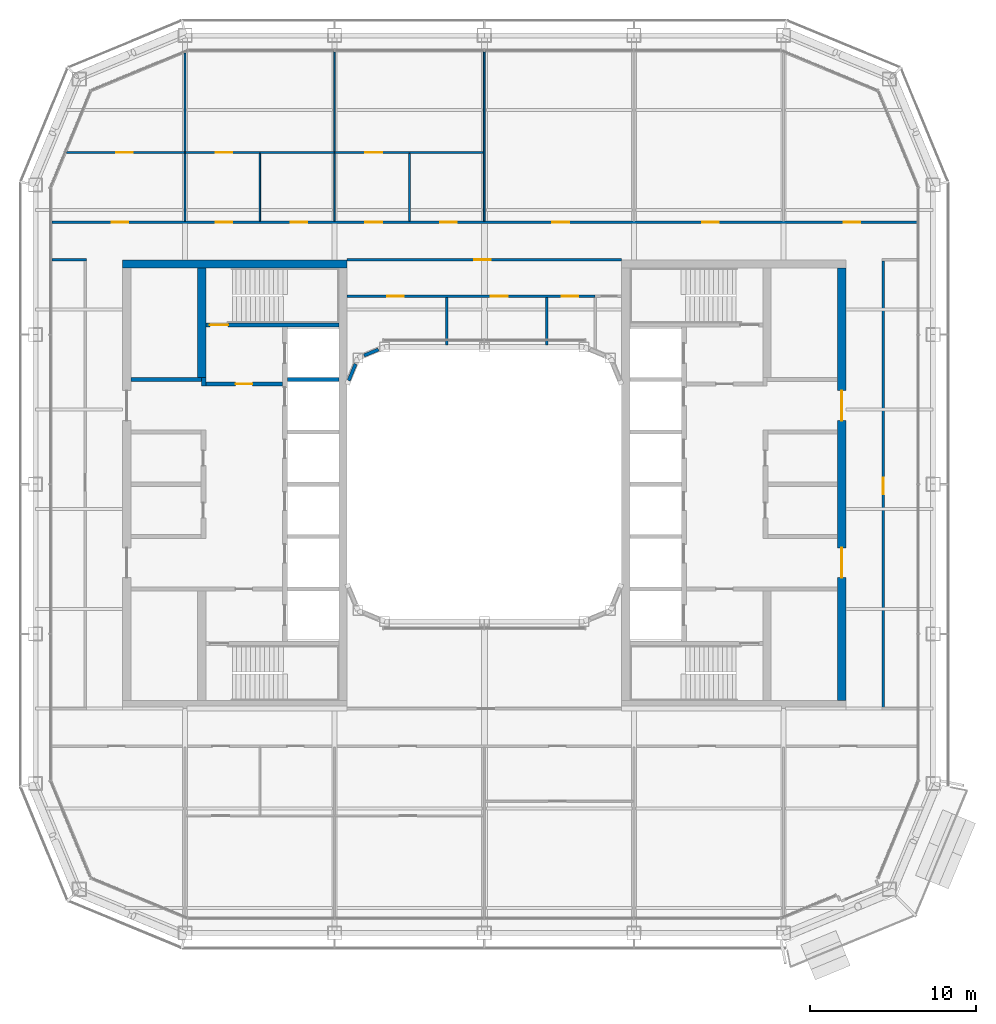
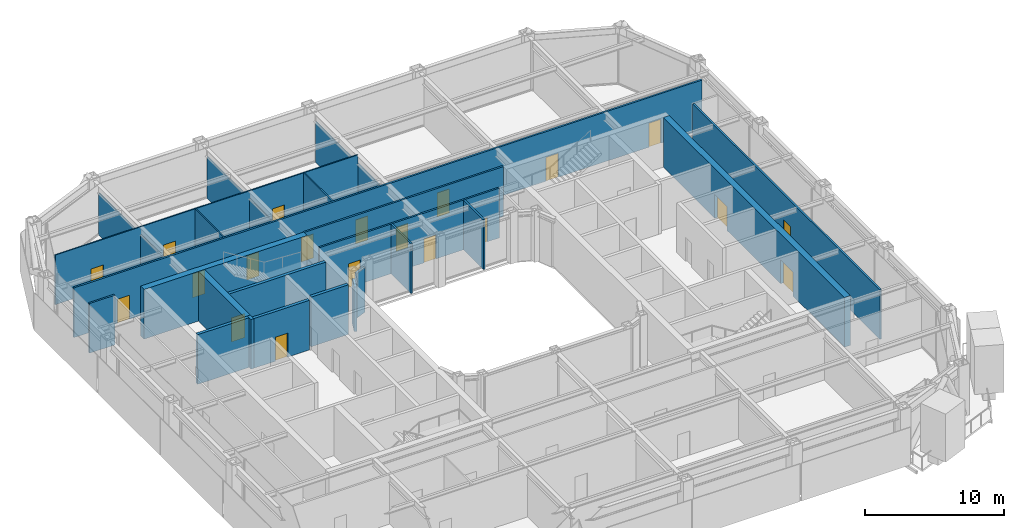
# One storey, part 14 of 22: 25 walls, 20 doors, 20 openings.
"""IFC4 building model written with IfcOpenShell, lengths in metres."""

from ifc_helpers import new_model, si_unit, direction, frame, frame_2d, origin, place, context, subcontext, project, spatial, rectangle, extrude, material, layer, layer_set, type_object, element, fill, save


model = new_model("IFC4")

# Units and contexts
model_context = context("Model", 3, precision=1e-05, world=origin(), true_north=direction((0.0, 1.0)))
body_context = subcontext(model_context, "Body", "Model", "MODEL_VIEW")
ifc_project = project(units=[si_unit("LENGTHUNIT", "METRE"), si_unit("AREAUNIT", "SQUARE_METRE"), si_unit("VOLUMEUNIT", "CUBIC_METRE"), si_unit("PLANEANGLEUNIT", "RADIAN"), si_unit("MASSUNIT", "GRAM", prefix="KILO")], contexts=[model_context])

# Site, building, storey
site_placement = place(None, origin())
site = spatial("IfcSite", under=ifc_project, at=site_placement, CompositionType="ELEMENT")
building_placement = place(site_placement, origin())
building = spatial("IfcBuilding", under=site, at=building_placement, Name="Siwar Civic Tower", CompositionType="ELEMENT")
storey_placement = place(building_placement, frame((0.0, 0.0, 219.699951171875)))
storey = spatial("IfcBuildingStorey", under=building, at=storey_placement, Name="L47", CompositionType="ELEMENT", Elevation=219.699951171875)

# Wall, opening, door
ifc_material_1 = material(Name="Concrete C60/75", Category="concrete")
ifc_layer_1 = layer(ifc_material_1, 0.25)
ifc_layer_set_1 = layer_set([ifc_layer_1], Name="Concrete C60/75")
wall_type_1 = type_object("IfcWallType", Name="CORE-WALL-RC250", PredefinedType="SHEAR", material=ifc_layer_set_1)
wall_1_placement = place(storey_placement, frame((-12.14990234375, 6.02490234375, 0.0), z_axis=(0.0, 0.0, 1.0), x_axis=(-1.0, 0.0, 0.0)))
wall_1 = element("IfcWall", 1, at=wall_1_placement, inside=storey, type_object=wall_type_1, Name="Core wall W", PredefinedType="SHEAR", context=body_context, shape_type="SweptSolid", body=[
    extrude(rectangle(XDim=4.60009765625, YDim=0.25, at=frame_2d((2.300048828125, 0.0))), origin(), (0.0, 0.0, 1.0), 4.35009765625),
])
opening_1_placement = place(wall_1_placement, frame((1.800048828125, 0.0, 0.0)))
opening_1 = element("IfcOpeningElement", 2, at=opening_1_placement, cuts=wall_1, Name="Opening L47-CW01", PredefinedType="OPENING", context=body_context, shape_type="SweptSolid", body=[
    extrude(rectangle(XDim=1.0, YDim=2.10009765625, at=frame_2d((0.5, 1.050048828125))), frame((0.0, 0.135009765625, 0.0), z_axis=(0.0, -1.0, 0.0), x_axis=(1.0, 0.0, 0.0)), (0.0, 0.0, 1.0), 0.27001953125),
])
ifc_material_2 = material(Name="Steel door leaf", Category="steel")
door_type_1 = type_object("IfcDoorType", Name="CORE-DOOR-FD30S", OperationType="SINGLE_SWING_LEFT", PredefinedType="DOOR", material=ifc_material_2)
door_1_placement = place(opening_1_placement, origin())
door_1 = element("IfcDoor", 3, at=door_1_placement, inside=storey, type_object=door_type_1, Name="Firefighting lobby door L47-CW01", OperationType="SINGLE_SWING_LEFT", OverallHeight=2.10009765625, OverallWidth=1.0, PredefinedType="DOOR", context=body_context, shape_type="SweptSolid", body=[
    extrude(rectangle(XDim=1.0, YDim=2.10009765625, at=frame_2d((0.5, 1.050048828125))), frame((0.0, 0.02490234375, 0.0), z_axis=(0.0, -1.0, 0.0), x_axis=(1.0, 0.0, 0.0)), (0.0, 0.0, 1.0), 0.050048828125),
])
fill(opening_1, door_1)

# Walls
wall_2_placement = place(storey_placement, frame((-16.875, 5.89990234375, 0.0), z_axis=(0.0, 0.0, 1.0), x_axis=(0.0, 1.0, 0.0)))
element("IfcWall", 4, at=wall_2_placement, inside=storey, type_object=wall_type_1, Name="Core wall W", PredefinedType="SHEAR", context=body_context, shape_type="SweptSolid", body=[
    extrude(rectangle(XDim=0.525146484375, YDim=0.25, at=frame_2d((0.2626953125, 0.0))), origin(), (0.0, 0.0, 1.0), 4.35009765625),
])
wall_3_placement = place(storey_placement, frame((-17.0, 6.300048828125, 0.0), z_axis=(0.0, 0.0, 1.0), x_axis=(-1.0, 0.0, 0.0)))
element("IfcWall", 5, at=wall_3_placement, inside=storey, type_object=wall_type_1, Name="Core wall W", PredefinedType="SHEAR", context=body_context, shape_type="SweptSolid", body=[
    extrude(rectangle(XDim=4.25, YDim=0.25, at=frame_2d((2.125, 0.0))), origin(), (0.0, 0.0, 1.0), 4.35009765625),
])
wall_4_placement = place(storey_placement, frame((-8.75, 6.300048828125, 0.0), z_axis=(0.0, 0.0, 1.0), x_axis=(-1.0, 0.0, 0.0)))
element("IfcWall", 6, at=wall_4_placement, inside=storey, type_object=wall_type_1, Name="Core wall W", PredefinedType="SHEAR", context=body_context, shape_type="SweptSolid", body=[
    extrude(rectangle(XDim=3.10009765625, YDim=0.25, at=frame_2d((1.550048828125, 0.0))), origin(), (0.0, 0.0, 1.0), 4.35009765625),
])

# Wall, opening, door
wall_5_placement = place(storey_placement, frame((-8.75, 9.574951171875, 0.0), z_axis=(0.0, 0.0, 1.0), x_axis=(-1.0, 0.0, 0.0)))
wall_5 = element("IfcWall", 7, at=wall_5_placement, inside=storey, type_object=wall_type_1, Name="Core wall W", PredefinedType="SHEAR", context=body_context, shape_type="SweptSolid", body=[
    extrude(rectangle(XDim=8.0, YDim=0.25, at=frame_2d((4.0, 0.0))), origin(), (0.0, 0.0, 1.0), 4.35009765625),
])
opening_2_placement = place(wall_5_placement, frame((6.64990234375, 0.0, 0.0)))
opening_2 = element("IfcOpeningElement", 8, at=opening_2_placement, cuts=wall_5, Name="Opening L47-CW03", PredefinedType="OPENING", context=body_context, shape_type="SweptSolid", body=[
    extrude(rectangle(XDim=1.10009765625, YDim=2.10009765625, at=frame_2d((0.550048828125, 1.050048828125))), frame((0.0, 0.135009765625, 0.0), z_axis=(0.0, -1.0, 0.0), x_axis=(1.0, 0.0, 0.0)), (0.0, 0.0, 1.0), 0.27001953125),
])
ifc_material_3 = material(Name="Steel door leaf", Category="steel")
door_type_2 = type_object("IfcDoorType", Name="CORE-DOOR-FD60S", OperationType="SINGLE_SWING_LEFT", PredefinedType="DOOR", material=ifc_material_3)
door_2_placement = place(opening_2_placement, origin())
door_2 = element("IfcDoor", 9, at=door_2_placement, inside=storey, type_object=door_type_2, Name="Stair door L47-CW03", OperationType="SINGLE_SWING_RIGHT", OverallHeight=2.10009765625, OverallWidth=1.10009765625, PredefinedType="DOOR", context=body_context, shape_type="SweptSolid", body=[
    extrude(rectangle(XDim=1.10009765625, YDim=2.10009765625, at=frame_2d((0.550048828125, 1.050048828125))), frame((0.0, 0.02490234375, 0.0), z_axis=(0.0, -1.0, 0.0), x_axis=(1.0, 0.0, 0.0)), (0.0, 0.0, 1.0), 0.050048828125),
])
fill(opening_2, door_2)

# Walls
ifc_material_4 = material(Name="Concrete C60/75", Category="concrete")
ifc_layer_2 = layer(ifc_material_4, 0.5)
ifc_layer_set_2 = layer_set([ifc_layer_2], Name="Concrete C60/75")
wall_type_2 = type_object("IfcWallType", Name="CORE-WALL-RC500", PredefinedType="SHEAR", material=ifc_layer_set_2)
wall_6_placement = place(storey_placement, frame((-17.0, 6.425048828125, 0.0), z_axis=(0.0, 0.0, 1.0), x_axis=(0.0, 1.0, 0.0)))
element("IfcWall", 10, at=wall_6_placement, inside=storey, type_object=wall_type_2, Name="Core wall W", PredefinedType="SHEAR", context=body_context, shape_type="SweptSolid", body=[
    extrude(rectangle(XDim=6.574951171875, YDim=0.5, at=frame_2d((3.28759765625, 0.0))), origin(), (0.0, 0.0, 1.0), 4.35009765625),
])
wall_7_placement = place(storey_placement, frame((-8.25, 13.25, 0.0), z_axis=(0.0, 0.0, 1.0), x_axis=(-1.0, 0.0, 0.0)))
element("IfcWall", 11, at=wall_7_placement, inside=storey, type_object=wall_type_2, Name="Core wall W", PredefinedType="SHEAR", context=body_context, shape_type="SweptSolid", body=[
    extrude(rectangle(XDim=13.5, YDim=0.5, at=frame_2d((6.75, 0.0))), origin(), (0.0, 0.0, 1.0), 4.35009765625),
])

# Wall, openings, doors
wall_8_placement = place(storey_placement, frame((21.5, -13.0, 0.0), z_axis=(0.0, 0.0, 1.0), x_axis=(0.0, 1.0, 0.0)))
wall_8 = element("IfcWall", 12, at=wall_8_placement, inside=storey, type_object=wall_type_2, Name="Core wall E", PredefinedType="SHEAR", context=body_context, shape_type="SweptSolid", body=[
    extrude(rectangle(XDim=26.0, YDim=0.5, at=frame_2d((13.0, 0.0))), origin(), (0.0, 0.0, 1.0), 4.35009765625),
])
opening_3_placement = place(wall_8_placement, frame((16.824951171875, 0.0, 0.0)))
opening_3 = element("IfcOpeningElement", 13, at=opening_3_placement, cuts=wall_8, Name="Opening L47-CE05", PredefinedType="OPENING", context=body_context, shape_type="SweptSolid", body=[
    extrude(rectangle(XDim=1.800048828125, YDim=2.10009765625, at=frame_2d((0.89990234375, 1.050048828125))), frame((0.0, 0.260009765625, 0.0), z_axis=(0.0, -1.0, 0.0), x_axis=(1.0, 0.0, 0.0)), (0.0, 0.0, 1.0), 0.52001953125),
])
opening_4_placement = place(wall_8_placement, frame((7.375, 0.0, 0.0)))
opening_4 = element("IfcOpeningElement", 14, at=opening_4_placement, cuts=wall_8, Name="Opening L47-CE06", PredefinedType="OPENING", context=body_context, shape_type="SweptSolid", body=[
    extrude(rectangle(XDim=1.800048828125, YDim=2.10009765625, at=frame_2d((0.89990234375, 1.050048828125))), frame((0.0, 0.260009765625, 0.0), z_axis=(0.0, -1.0, 0.0), x_axis=(1.0, 0.0, 0.0)), (0.0, 0.0, 1.0), 0.52001953125),
])
ifc_material_5 = material(Name="Steel door leaf", Category="steel")
door_type_3 = type_object("IfcDoorType", Name="CORE-DOOR-PORT", OperationType="DOUBLE_DOOR_DOUBLE_SWING", PredefinedType="DOOR", material=ifc_material_5)
door_3_placement = place(opening_3_placement, origin())
door_3 = element("IfcDoor", 15, at=door_3_placement, inside=storey, type_object=door_type_3, Name="Core entrance door L47-CE05", OperationType="DOUBLE_DOOR_DOUBLE_SWING", OverallHeight=2.10009765625, OverallWidth=1.800048828125, PredefinedType="DOOR", context=body_context, shape_type="SweptSolid", body=[
    extrude(rectangle(XDim=1.800048828125, YDim=2.10009765625, at=frame_2d((0.89990234375, 1.050048828125))), frame((0.0, 0.02490234375, 0.0), z_axis=(0.0, -1.0, 0.0), x_axis=(1.0, 0.0, 0.0)), (0.0, 0.0, 1.0), 0.050048828125),
])
fill(opening_3, door_3)
door_4_placement = place(opening_4_placement, origin())
door_4 = element("IfcDoor", 16, at=door_4_placement, inside=storey, type_object=door_type_3, Name="Core entrance door L47-CE06", OperationType="DOUBLE_DOOR_DOUBLE_SWING", OverallHeight=2.10009765625, OverallWidth=1.800048828125, PredefinedType="DOOR", context=body_context, shape_type="SweptSolid", body=[
    extrude(rectangle(XDim=1.800048828125, YDim=2.10009765625, at=frame_2d((0.89990234375, 1.050048828125))), frame((0.0, 0.02490234375, 0.0), z_axis=(0.0, -1.0, 0.0), x_axis=(1.0, 0.0, 0.0)), (0.0, 0.0, 1.0), 0.050048828125),
])
fill(opening_4, door_4)

ifc_material_6 = material(Name="Gypsum board on steel studs", Category="steel")
ifc_layer_3 = layer(ifc_material_6, 0.14990234375)
ifc_layer_set_3 = layer_set([ifc_layer_3], Name="Gypsum board on steel studs")
wall_type_3 = type_object("IfcWallType", Name="CORRIDOR PARTITION 150 EI 30", PredefinedType="PARTITIONING", material=ifc_layer_set_3)
wall_9_placement = place(storey_placement, frame((-8.25, 11.300048828125, 0.0), z_axis=(0.0, 0.0, 1.0), x_axis=(1.0, 0.0, 0.0)))
wall_9 = element("IfcWall", 17, at=wall_9_placement, inside=storey, type_object=wall_type_3, Name="L47/wall/P07", PredefinedType="PARTITIONING", context=body_context, shape_type="SweptSolid", body=[
    extrude(rectangle(XDim=14.909912109375, YDim=0.14990234375, at=frame_2d((7.455078125, 0.0))), origin(), (0.0, 0.0, 1.0), 4.35009765625),
])
opening_5_placement = place(wall_9_placement, frame((2.39990234375, 0.0, 0.0)))
opening_5 = element("IfcOpeningElement", 18, at=opening_5_placement, cuts=wall_9, Name="Opening D3", PredefinedType="OPENING", context=body_context, shape_type="SweptSolid", body=[
    extrude(rectangle(XDim=1.0, YDim=2.10009765625, at=frame_2d((0.5, 1.050048828125))), frame((0.0, 0.0849609375, 0.0), z_axis=(0.0, -1.0, 0.0), x_axis=(1.0, 0.0, 0.0)), (0.0, 0.0, 1.0), 0.169921875),
])
opening_6_placement = place(wall_9_placement, frame((8.64990234375, 0.0, 0.0)))
opening_6 = element("IfcOpeningElement", 19, at=opening_6_placement, cuts=wall_9, Name="Opening D3", PredefinedType="OPENING", context=body_context, shape_type="SweptSolid", body=[
    extrude(rectangle(XDim=1.0, YDim=2.10009765625, at=frame_2d((0.5, 1.050048828125))), frame((0.0, 0.0849609375, 0.0), z_axis=(0.0, -1.0, 0.0), x_axis=(1.0, 0.0, 0.0)), (0.0, 0.0, 1.0), 0.169921875),
])
opening_7_placement = place(wall_9_placement, frame((12.89990234375, 0.0, 0.0)))
opening_7 = element("IfcOpeningElement", 20, at=opening_7_placement, cuts=wall_9, Name="Opening D3", PredefinedType="OPENING", context=body_context, shape_type="SweptSolid", body=[
    extrude(rectangle(XDim=1.0, YDim=2.10009765625, at=frame_2d((0.5, 1.050048828125))), frame((0.0, 0.0849609375, 0.0), z_axis=(0.0, -1.0, 0.0), x_axis=(1.0, 0.0, 0.0)), (0.0, 0.0, 1.0), 0.169921875),
])
ifc_material_7 = material(Name="Timber, painted", Category="wood")
door_type_4 = type_object("IfcDoorType", Name="DOOR 1000 X 2100 WC", OperationType="SINGLE_SWING_LEFT", PredefinedType="DOOR", material=ifc_material_7)
door_5_placement = place(opening_5_placement, origin())
door_5 = element("IfcDoor", 21, at=door_5_placement, inside=storey, type_object=door_type_4, Name="L47-D25", OperationType="SINGLE_SWING_LEFT", OverallHeight=2.10009765625, OverallWidth=1.0, PredefinedType="DOOR", context=body_context, shape_type="SweptSolid", body=[
    extrude(rectangle(XDim=1.0, YDim=2.10009765625, at=frame_2d((0.5, 1.050048828125))), frame((0.0, 0.02490234375, 0.0), z_axis=(0.0, -1.0, 0.0), x_axis=(1.0, 0.0, 0.0)), (0.0, 0.0, 1.0), 0.050048828125),
])
fill(opening_5, door_5)
door_6_placement = place(opening_6_placement, origin())
door_6 = element("IfcDoor", 22, at=door_6_placement, inside=storey, type_object=door_type_4, Name="L47-D26", OperationType="SINGLE_SWING_RIGHT", OverallHeight=2.10009765625, OverallWidth=1.0, PredefinedType="DOOR", context=body_context, shape_type="SweptSolid", body=[
    extrude(rectangle(XDim=1.0, YDim=2.10009765625, at=frame_2d((0.5, 1.050048828125))), frame((0.0, 0.02490234375, 0.0), z_axis=(0.0, -1.0, 0.0), x_axis=(1.0, 0.0, 0.0)), (0.0, 0.0, 1.0), 0.050048828125),
])
fill(opening_6, door_6)
door_7_placement = place(opening_7_placement, origin())
door_7 = element("IfcDoor", 23, at=door_7_placement, inside=storey, type_object=door_type_4, Name="L47-D27", OperationType="SINGLE_SWING_LEFT", OverallHeight=2.10009765625, OverallWidth=1.0, PredefinedType="DOOR", context=body_context, shape_type="SweptSolid", body=[
    extrude(rectangle(XDim=1.0, YDim=2.10009765625, at=frame_2d((0.5, 1.050048828125))), frame((0.0, 0.02490234375, 0.0), z_axis=(0.0, -1.0, 0.0), x_axis=(1.0, 0.0, 0.0)), (0.0, 0.0, 1.0), 0.050048828125),
])
fill(opening_7, door_7)

# Wall
wall_10_placement = place(storey_placement, frame((-26.010009765625, 13.5, 0.0), z_axis=(0.0, 0.0, 1.0), x_axis=(1.0, 0.0, 0.0)))
element("IfcWall", 24, at=wall_10_placement, inside=storey, type_object=wall_type_3, Name="L47/wall/P09", PredefinedType="PARTITIONING", context=body_context, shape_type="SweptSolid", body=[
    extrude(rectangle(XDim=2.0849609375, YDim=0.14990234375, at=frame_2d((1.04248046875, 0.0))), origin(), (0.0, 0.0, 1.0), 4.35009765625),
])

# Wall, opening, door
wall_11_placement = place(storey_placement, frame((-8.25, 13.5, 0.0), z_axis=(0.0, 0.0, 1.0), x_axis=(1.0, 0.0, 0.0)))
wall_11 = element("IfcWall", 25, at=wall_11_placement, inside=storey, type_object=wall_type_3, Name="L47/wall/P10", PredefinedType="PARTITIONING", context=body_context, shape_type="SweptSolid", body=[
    extrude(rectangle(XDim=16.5, YDim=0.14990234375, at=frame_2d((8.25, 0.0))), origin(), (0.0, 0.0, 1.0), 4.35009765625),
])
opening_8_placement = place(wall_11_placement, frame((7.64990234375, 0.0, 0.0)))
opening_8 = element("IfcOpeningElement", 26, at=opening_8_placement, cuts=wall_11, Name="Opening D1", PredefinedType="OPENING", context=body_context, shape_type="SweptSolid", body=[
    extrude(rectangle(XDim=1.0, YDim=2.10009765625, at=frame_2d((0.5, 1.050048828125))), frame((0.0, 0.0849609375, 0.0), z_axis=(0.0, -1.0, 0.0), x_axis=(1.0, 0.0, 0.0)), (0.0, 0.0, 1.0), 0.169921875),
])
ifc_material_8 = material(Name="Timber, painted", Category="wood")
door_type_5 = type_object("IfcDoorType", Name="DOOR 1000 X 2100 FD30", OperationType="SINGLE_SWING_LEFT", PredefinedType="DOOR", material=ifc_material_8)
door_8_placement = place(opening_8_placement, origin())
door_8 = element("IfcDoor", 27, at=door_8_placement, inside=storey, type_object=door_type_5, Name="L47-D24", OperationType="SINGLE_SWING_RIGHT", OverallHeight=2.10009765625, OverallWidth=1.0, PredefinedType="DOOR", context=body_context, shape_type="SweptSolid", body=[
    extrude(rectangle(XDim=1.0, YDim=2.10009765625, at=frame_2d((0.5, 1.050048828125))), frame((0.0, 0.02490234375, 0.0), z_axis=(0.0, -1.0, 0.0), x_axis=(1.0, 0.0, 0.0)), (0.0, 0.0, 1.0), 0.050048828125),
])
fill(opening_8, door_8)

# Wall, openings, doors
wall_12_placement = place(storey_placement, frame((-26.010009765625, 15.75, 0.0), z_axis=(0.0, 0.0, 1.0), x_axis=(1.0, 0.0, 0.0)))
wall_12 = element("IfcWall", 28, at=wall_12_placement, inside=storey, type_object=wall_type_3, Name="L47/wall/P12", PredefinedType="PARTITIONING", context=body_context, shape_type="SweptSolid", body=[
    extrude(rectangle(XDim=52.02001953125, YDim=0.14990234375, at=frame_2d((26.010009765625, 0.0))), origin(), (0.0, 0.0, 1.0), 4.35009765625),
])
opening_9_placement = place(wall_12_placement, frame((9.860107421875, 0.0, 0.0)))
opening_9 = element("IfcOpeningElement", 29, at=opening_9_placement, cuts=wall_12, Name="Opening D1", PredefinedType="OPENING", context=body_context, shape_type="SweptSolid", body=[
    extrude(rectangle(XDim=1.0, YDim=2.10009765625, at=frame_2d((0.5, 1.050048828125))), frame((0.0, 0.0849609375, 0.0), z_axis=(0.0, -1.0, 0.0), x_axis=(1.0, 0.0, 0.0)), (0.0, 0.0, 1.0), 0.169921875),
])
opening_10_placement = place(wall_12_placement, frame((14.360107421875, 0.0, 0.0)))
opening_10 = element("IfcOpeningElement", 30, at=opening_10_placement, cuts=wall_12, Name="Opening D1", PredefinedType="OPENING", context=body_context, shape_type="SweptSolid", body=[
    extrude(rectangle(XDim=1.0, YDim=2.10009765625, at=frame_2d((0.5, 1.050048828125))), frame((0.0, 0.0849609375, 0.0), z_axis=(0.0, -1.0, 0.0), x_axis=(1.0, 0.0, 0.0)), (0.0, 0.0, 1.0), 0.169921875),
])
opening_11_placement = place(wall_12_placement, frame((18.860107421875, 0.0, 0.0)))
opening_11 = element("IfcOpeningElement", 31, at=opening_11_placement, cuts=wall_12, Name="Opening D1", PredefinedType="OPENING", context=body_context, shape_type="SweptSolid", body=[
    extrude(rectangle(XDim=1.0, YDim=2.10009765625, at=frame_2d((0.5, 1.050048828125))), frame((0.0, 0.0849609375, 0.0), z_axis=(0.0, -1.0, 0.0), x_axis=(1.0, 0.0, 0.0)), (0.0, 0.0, 1.0), 0.169921875),
])
opening_12_placement = place(wall_12_placement, frame((23.360107421875, 0.0, 0.0)))
opening_12 = element("IfcOpeningElement", 32, at=opening_12_placement, cuts=wall_12, Name="Opening D1", PredefinedType="OPENING", context=body_context, shape_type="SweptSolid", body=[
    extrude(rectangle(XDim=1.0, YDim=2.10009765625, at=frame_2d((0.5, 1.050048828125))), frame((0.0, 0.0849609375, 0.0), z_axis=(0.0, -1.0, 0.0), x_axis=(1.0, 0.0, 0.0)), (0.0, 0.0, 1.0), 0.169921875),
])
opening_13_placement = place(wall_12_placement, frame((30.110107421875, 0.0, 0.0)))
opening_13 = element("IfcOpeningElement", 33, at=opening_13_placement, cuts=wall_12, Name="Opening D1", PredefinedType="OPENING", context=body_context, shape_type="SweptSolid", body=[
    extrude(rectangle(XDim=1.0, YDim=2.10009765625, at=frame_2d((0.5, 1.050048828125))), frame((0.0, 0.0849609375, 0.0), z_axis=(0.0, -1.0, 0.0), x_axis=(1.0, 0.0, 0.0)), (0.0, 0.0, 1.0), 0.169921875),
])
opening_14_placement = place(wall_12_placement, frame((39.110107421875, 0.0, 0.0)))
opening_14 = element("IfcOpeningElement", 34, at=opening_14_placement, cuts=wall_12, Name="Opening D1", PredefinedType="OPENING", context=body_context, shape_type="SweptSolid", body=[
    extrude(rectangle(XDim=1.0, YDim=2.10009765625, at=frame_2d((0.5, 1.050048828125))), frame((0.0, 0.0849609375, 0.0), z_axis=(0.0, -1.0, 0.0), x_axis=(1.0, 0.0, 0.0)), (0.0, 0.0, 1.0), 0.169921875),
])
opening_15_placement = place(wall_12_placement, frame((3.610107421875, 0.0, 0.0)))
opening_15 = element("IfcOpeningElement", 35, at=opening_15_placement, cuts=wall_12, Name="Opening D1", PredefinedType="OPENING", context=body_context, shape_type="SweptSolid", body=[
    extrude(rectangle(XDim=1.0, YDim=2.10009765625, at=frame_2d((0.5, 1.050048828125))), frame((0.0, 0.0849609375, 0.0), z_axis=(0.0, -1.0, 0.0), x_axis=(1.0, 0.0, 0.0)), (0.0, 0.0, 1.0), 0.169921875),
])
opening_16_placement = place(wall_12_placement, frame((47.6201171875, 0.0, 0.0)))
opening_16 = element("IfcOpeningElement", 36, at=opening_16_placement, cuts=wall_12, Name="Opening D1", PredefinedType="OPENING", context=body_context, shape_type="SweptSolid", body=[
    extrude(rectangle(XDim=1.0, YDim=2.10009765625, at=frame_2d((0.5, 1.050048828125))), frame((0.0, 0.0849609375, 0.0), z_axis=(0.0, -1.0, 0.0), x_axis=(1.0, 0.0, 0.0)), (0.0, 0.0, 1.0), 0.169921875),
])
door_9_placement = place(opening_9_placement, origin())
door_9 = element("IfcDoor", 37, at=door_9_placement, inside=storey, type_object=door_type_5, Name="L47-D01", OperationType="SINGLE_SWING_LEFT", OverallHeight=2.10009765625, OverallWidth=1.0, PredefinedType="DOOR", context=body_context, shape_type="SweptSolid", body=[
    extrude(rectangle(XDim=1.0, YDim=2.10009765625, at=frame_2d((0.5, 1.050048828125))), frame((0.0, 0.02490234375, 0.0), z_axis=(0.0, -1.0, 0.0), x_axis=(1.0, 0.0, 0.0)), (0.0, 0.0, 1.0), 0.050048828125),
])
fill(opening_9, door_9)
door_10_placement = place(opening_10_placement, origin())
door_10 = element("IfcDoor", 38, at=door_10_placement, inside=storey, type_object=door_type_5, Name="L47-D02", OperationType="SINGLE_SWING_RIGHT", OverallHeight=2.10009765625, OverallWidth=1.0, PredefinedType="DOOR", context=body_context, shape_type="SweptSolid", body=[
    extrude(rectangle(XDim=1.0, YDim=2.10009765625, at=frame_2d((0.5, 1.050048828125))), frame((0.0, 0.02490234375, 0.0), z_axis=(0.0, -1.0, 0.0), x_axis=(1.0, 0.0, 0.0)), (0.0, 0.0, 1.0), 0.050048828125),
])
fill(opening_10, door_10)
door_11_placement = place(opening_11_placement, origin())
door_11 = element("IfcDoor", 39, at=door_11_placement, inside=storey, type_object=door_type_5, Name="L47-D04", OperationType="SINGLE_SWING_RIGHT", OverallHeight=2.10009765625, OverallWidth=1.0, PredefinedType="DOOR", context=body_context, shape_type="SweptSolid", body=[
    extrude(rectangle(XDim=1.0, YDim=2.10009765625, at=frame_2d((0.5, 1.050048828125))), frame((0.0, 0.02490234375, 0.0), z_axis=(0.0, -1.0, 0.0), x_axis=(1.0, 0.0, 0.0)), (0.0, 0.0, 1.0), 0.050048828125),
])
fill(opening_11, door_11)
door_12_placement = place(opening_12_placement, origin())
door_12 = element("IfcDoor", 40, at=door_12_placement, inside=storey, type_object=door_type_5, Name="L47-D05", OperationType="SINGLE_SWING_LEFT", OverallHeight=2.10009765625, OverallWidth=1.0, PredefinedType="DOOR", context=body_context, shape_type="SweptSolid", body=[
    extrude(rectangle(XDim=1.0, YDim=2.10009765625, at=frame_2d((0.5, 1.050048828125))), frame((0.0, 0.02490234375, 0.0), z_axis=(0.0, -1.0, 0.0), x_axis=(1.0, 0.0, 0.0)), (0.0, 0.0, 1.0), 0.050048828125),
])
fill(opening_12, door_12)
door_13_placement = place(opening_13_placement, origin())
door_13 = element("IfcDoor", 41, at=door_13_placement, inside=storey, type_object=door_type_5, Name="L47-D07", OperationType="SINGLE_SWING_LEFT", OverallHeight=2.10009765625, OverallWidth=1.0, PredefinedType="DOOR", context=body_context, shape_type="SweptSolid", body=[
    extrude(rectangle(XDim=1.0, YDim=2.10009765625, at=frame_2d((0.5, 1.050048828125))), frame((0.0, 0.02490234375, 0.0), z_axis=(0.0, -1.0, 0.0), x_axis=(1.0, 0.0, 0.0)), (0.0, 0.0, 1.0), 0.050048828125),
])
fill(opening_13, door_13)
door_14_placement = place(opening_14_placement, origin())
door_14 = element("IfcDoor", 42, at=door_14_placement, inside=storey, type_object=door_type_5, Name="L47-D08", OperationType="SINGLE_SWING_RIGHT", OverallHeight=2.10009765625, OverallWidth=1.0, PredefinedType="DOOR", context=body_context, shape_type="SweptSolid", body=[
    extrude(rectangle(XDim=1.0, YDim=2.10009765625, at=frame_2d((0.5, 1.050048828125))), frame((0.0, 0.02490234375, 0.0), z_axis=(0.0, -1.0, 0.0), x_axis=(1.0, 0.0, 0.0)), (0.0, 0.0, 1.0), 0.050048828125),
])
fill(opening_14, door_14)
door_15_placement = place(opening_15_placement, origin())
door_15 = element("IfcDoor", 43, at=door_15_placement, inside=storey, type_object=door_type_5, Name="L47-D17", OperationType="SINGLE_SWING_LEFT", OverallHeight=2.10009765625, OverallWidth=1.0, PredefinedType="DOOR", context=body_context, shape_type="SweptSolid", body=[
    extrude(rectangle(XDim=1.0, YDim=2.10009765625, at=frame_2d((0.5, 1.050048828125))), frame((0.0, 0.02490234375, 0.0), z_axis=(0.0, -1.0, 0.0), x_axis=(1.0, 0.0, 0.0)), (0.0, 0.0, 1.0), 0.050048828125),
])
fill(opening_15, door_15)
door_16_placement = place(opening_16_placement, origin())
door_16 = element("IfcDoor", 44, at=door_16_placement, inside=storey, type_object=door_type_5, Name="L47-D19", OperationType="SINGLE_SWING_LEFT", OverallHeight=2.10009765625, OverallWidth=1.0, PredefinedType="DOOR", context=body_context, shape_type="SweptSolid", body=[
    extrude(rectangle(XDim=1.0, YDim=2.10009765625, at=frame_2d((0.5, 1.050048828125))), frame((0.0, 0.02490234375, 0.0), z_axis=(0.0, -1.0, 0.0), x_axis=(1.0, 0.0, 0.0)), (0.0, 0.0, 1.0), 0.050048828125),
])
fill(opening_16, door_16)

# Walls
for number, where, z_axis, x_axis, name in (
    (45, (-2.25, 8.3701171875, 0.0), (0.0, 0.0, 1.0), (0.0, 1.0, 0.0), "L47/wall/P25"),
    (46, (3.75, 8.3701171875, 0.0), (0.0, 0.0, 1.0), (0.0, 1.0, 0.0), "L47/wall/P28"),
):
    element("IfcWall", number, at=place(storey_placement, frame(where, z_axis=z_axis, x_axis=x_axis)), inside=storey, type_object=wall_type_3, Name=name, PredefinedType="PARTITIONING", context=body_context, shape_type="SweptSolid", body=[
        extrude(rectangle(XDim=2.85498046875, YDim=0.14990234375, at=frame_2d((1.427490234375, 0.0))), origin(), (0.0, 0.0, 1.0), 4.35009765625),
    ])

# Wall, opening, door
wall_13_placement = place(storey_placement, frame((24.0, -13.425048828125, 0.0), z_axis=(0.0, 0.0, 1.0), x_axis=(0.0, 1.0, 0.0)))
wall_13 = element("IfcWall", 47, at=wall_13_placement, inside=storey, type_object=wall_type_3, Name="L47/wall/P34", PredefinedType="PARTITIONING", context=body_context, shape_type="SweptSolid", body=[
    extrude(rectangle(XDim=26.85009765625, YDim=0.14990234375, at=frame_2d((13.425048828125, 0.0))), origin(), (0.0, 0.0, 1.0), 4.35009765625),
])
opening_17_placement = place(wall_13_placement, frame((12.824951171875, 0.0, 0.0)))
opening_17 = element("IfcOpeningElement", 48, at=opening_17_placement, cuts=wall_13, Name="Opening D1", PredefinedType="OPENING", context=body_context, shape_type="SweptSolid", body=[
    extrude(rectangle(XDim=1.0, YDim=2.10009765625, at=frame_2d((0.5, 1.050048828125))), frame((0.0, 0.0849609375, 0.0), z_axis=(0.0, -1.0, 0.0), x_axis=(1.0, 0.0, 0.0)), (0.0, 0.0, 1.0), 0.169921875),
])
door_17_placement = place(opening_17_placement, origin())
door_17 = element("IfcDoor", 49, at=door_17_placement, inside=storey, type_object=door_type_5, Name="L47-D23", OperationType="SINGLE_SWING_LEFT", OverallHeight=2.10009765625, OverallWidth=1.0, PredefinedType="DOOR", context=body_context, shape_type="SweptSolid", body=[
    extrude(rectangle(XDim=1.0, YDim=2.10009765625, at=frame_2d((0.5, 1.050048828125))), frame((0.0, 0.02490234375, 0.0), z_axis=(0.0, -1.0, 0.0), x_axis=(1.0, 0.0, 0.0)), (0.0, 0.0, 1.0), 0.050048828125),
])
fill(opening_17, door_17)

# Walls
ifc_material_9 = material(Name="Aluminium clad insulated panel", Category="aluminium")
ifc_layer_4 = layer(ifc_material_9, 0.199951171875)
ifc_layer_set_4 = layer_set([ifc_layer_4], Name="Aluminium clad insulated panel")
wall_type_4 = type_object("IfcWallType", Name="ENV-WALL-WELL", PredefinedType="STANDARD", material=ifc_layer_set_4)
wall_14_placement = place(storey_placement, frame((-6.362060546875, 8.10009765625, 0.0), z_axis=(0.0, 0.0, 1.0), x_axis=(-0.923829670615, -0.382803787458, 0.0)))
element("IfcWall", 50, at=wall_14_placement, inside=storey, type_object=wall_type_4, Name="Light well corner wall NW1", PredefinedType="STANDARD", context=body_context, shape_type="SweptSolid", body=[
    extrude(rectangle(XDim=0.938232421875, YDim=0.199951171875, at=frame_2d((0.46923828125, 0.0))), origin(), (0.0, 0.0, 1.0), 3.91796875),
])
wall_15_placement = place(storey_placement, frame((-7.740966796875, 7.228759765625, 0.0), z_axis=(0.0, 0.0, 1.0), x_axis=(-0.382704496366, -0.923870807235, 0.0)))
element("IfcWall", 51, at=wall_15_placement, inside=storey, type_object=wall_type_4, Name="Light well corner wall NW2", PredefinedType="STANDARD", context=body_context, shape_type="SweptSolid", body=[
    extrude(rectangle(XDim=1.080078125, YDim=0.199951171875, at=frame_2d((0.5400390625, 0.0))), origin(), (0.0, 0.0, 1.0), 3.91796875),
])

# Wall, openings, doors
ifc_material_10 = material(Name="Gypsum board on steel studs", Category="steel")
ifc_layer_5 = layer(ifc_material_10, 0.10009765625)
ifc_layer_set_5 = layer_set([ifc_layer_5], Name="Gypsum board on steel studs")
wall_type_5 = type_object("IfcWallType", Name="PARTITION 100 GYPSUM", PredefinedType="PARTITIONING", material=ifc_layer_set_5)
wall_16_placement = place(storey_placement, frame((-25.12109375, 19.949951171875, 0.0), z_axis=(0.0, 0.0, 1.0), x_axis=(1.0, 0.0, 0.0)))
wall_16 = element("IfcWall", 52, at=wall_16_placement, inside=storey, type_object=wall_type_5, Name="L47/wall/P13", PredefinedType="PARTITIONING", context=body_context, shape_type="SweptSolid", body=[
    extrude(rectangle(XDim=25.071044921875, YDim=0.10009765625, at=frame_2d((12.53564453125, 0.0))), origin(), (0.0, 0.0, 1.0), 4.35009765625),
])
opening_18_placement = place(wall_16_placement, frame((8.970947265625, 0.0, 0.0)))
opening_18 = element("IfcOpeningElement", 53, at=opening_18_placement, cuts=wall_16, Name="Opening D2", PredefinedType="OPENING", context=body_context, shape_type="SweptSolid", body=[
    extrude(rectangle(XDim=1.0, YDim=2.10009765625, at=frame_2d((0.5, 1.050048828125))), frame((0.0, 0.06005859375, 0.0), z_axis=(0.0, -1.0, 0.0), x_axis=(1.0, 0.0, 0.0)), (0.0, 0.0, 1.0), 0.1201171875),
])
opening_19_placement = place(wall_16_placement, frame((17.970947265625, 0.0, 0.0)))
opening_19 = element("IfcOpeningElement", 54, at=opening_19_placement, cuts=wall_16, Name="Opening D2", PredefinedType="OPENING", context=body_context, shape_type="SweptSolid", body=[
    extrude(rectangle(XDim=1.0, YDim=2.10009765625, at=frame_2d((0.5, 1.050048828125))), frame((0.0, 0.06005859375, 0.0), z_axis=(0.0, -1.0, 0.0), x_axis=(1.0, 0.0, 0.0)), (0.0, 0.0, 1.0), 0.1201171875),
])
opening_20_placement = place(wall_16_placement, frame((2.970947265625, 0.0, 0.0)))
opening_20 = element("IfcOpeningElement", 55, at=opening_20_placement, cuts=wall_16, Name="Opening D2", PredefinedType="OPENING", context=body_context, shape_type="SweptSolid", body=[
    extrude(rectangle(XDim=1.0, YDim=2.10009765625, at=frame_2d((0.5, 1.050048828125))), frame((0.0, 0.06005859375, 0.0), z_axis=(0.0, -1.0, 0.0), x_axis=(1.0, 0.0, 0.0)), (0.0, 0.0, 1.0), 0.1201171875),
])
ifc_material_11 = material(Name="Timber, painted", Category="wood")
door_type_6 = type_object("IfcDoorType", Name="DOOR 1000 X 2100", OperationType="SINGLE_SWING_LEFT", PredefinedType="DOOR", material=ifc_material_11)
door_18_placement = place(opening_18_placement, origin())
door_18 = element("IfcDoor", 56, at=door_18_placement, inside=storey, type_object=door_type_6, Name="L47-D03", OperationType="SINGLE_SWING_LEFT", OverallHeight=2.10009765625, OverallWidth=1.0, PredefinedType="DOOR", context=body_context, shape_type="SweptSolid", body=[
    extrude(rectangle(XDim=1.0, YDim=2.10009765625, at=frame_2d((0.5, 1.050048828125))), frame((0.0, 0.02490234375, 0.0), z_axis=(0.0, -1.0, 0.0), x_axis=(1.0, 0.0, 0.0)), (0.0, 0.0, 1.0), 0.050048828125),
])
fill(opening_18, door_18)
door_19_placement = place(opening_19_placement, origin())
door_19 = element("IfcDoor", 57, at=door_19_placement, inside=storey, type_object=door_type_6, Name="L47-D06", OperationType="SINGLE_SWING_RIGHT", OverallHeight=2.10009765625, OverallWidth=1.0, PredefinedType="DOOR", context=body_context, shape_type="SweptSolid", body=[
    extrude(rectangle(XDim=1.0, YDim=2.10009765625, at=frame_2d((0.5, 1.050048828125))), frame((0.0, 0.02490234375, 0.0), z_axis=(0.0, -1.0, 0.0), x_axis=(1.0, 0.0, 0.0)), (0.0, 0.0, 1.0), 0.050048828125),
])
fill(opening_19, door_19)
door_20_placement = place(opening_20_placement, origin())
door_20 = element("IfcDoor", 58, at=door_20_placement, inside=storey, type_object=door_type_6, Name="L47-D18", OperationType="SINGLE_SWING_RIGHT", OverallHeight=2.10009765625, OverallWidth=1.0, PredefinedType="DOOR", context=body_context, shape_type="SweptSolid", body=[
    extrude(rectangle(XDim=1.0, YDim=2.10009765625, at=frame_2d((0.5, 1.050048828125))), frame((0.0, 0.02490234375, 0.0), z_axis=(0.0, -1.0, 0.0), x_axis=(1.0, 0.0, 0.0)), (0.0, 0.0, 1.0), 0.050048828125),
])
fill(opening_20, door_20)

# Walls
wall_17_placement = place(storey_placement, frame((-18.0, 15.824951171875, 0.0), z_axis=(0.0, 0.0, 1.0), x_axis=(0.0, 1.0, 0.0)))
element("IfcWall", 59, at=wall_17_placement, inside=storey, type_object=wall_type_5, Name="L47/wall/P16", PredefinedType="PARTITIONING", context=body_context, shape_type="SweptSolid", body=[
    extrude(rectangle(XDim=4.074951171875, YDim=0.10009765625, at=frame_2d((2.03759765625, 0.0))), origin(), (0.0, 0.0, 1.0), 3.650146484375),
])
wall_18_placement = place(storey_placement, frame((-18.0, 20.0, 0.0), z_axis=(0.0, 0.0, 1.0), x_axis=(0.0, 1.0, 0.0)))
element("IfcWall", 60, at=wall_18_placement, inside=storey, type_object=wall_type_5, Name="L47/wall/P17", PredefinedType="PARTITIONING", context=body_context, shape_type="SweptSolid", body=[
    extrude(rectangle(XDim=5.927978515625, YDim=0.10009765625, at=frame_2d((2.9638671875, 0.0))), origin(), (0.0, 0.0, 1.0), 3.650146484375),
])
wall_19_placement = place(storey_placement, frame((-13.5, 15.824951171875, 0.0), z_axis=(0.0, 0.0, 1.0), x_axis=(0.0, 1.0, 0.0)))
element("IfcWall", 61, at=wall_19_placement, inside=storey, type_object=wall_type_5, Name="L47/wall/P19", PredefinedType="PARTITIONING", context=body_context, shape_type="SweptSolid", body=[
    extrude(rectangle(XDim=4.074951171875, YDim=0.10009765625, at=frame_2d((2.03759765625, 0.0))), origin(), (0.0, 0.0, 1.0), 4.35009765625),
])
wall_20_placement = place(storey_placement, frame((-9.0, 15.824951171875, 0.0), z_axis=(0.0, 0.0, 1.0), x_axis=(0.0, 1.0, 0.0)))
element("IfcWall", 62, at=wall_20_placement, inside=storey, type_object=wall_type_5, Name="L47/wall/P22", PredefinedType="PARTITIONING", context=body_context, shape_type="SweptSolid", body=[
    extrude(rectangle(XDim=4.074951171875, YDim=0.10009765625, at=frame_2d((2.03759765625, 0.0))), origin(), (0.0, 0.0, 1.0), 3.650146484375),
])
wall_21_placement = place(storey_placement, frame((-9.0, 20.0, 0.0), z_axis=(0.0, 0.0, 1.0), x_axis=(0.0, 1.0, 0.0)))
element("IfcWall", 63, at=wall_21_placement, inside=storey, type_object=wall_type_5, Name="L47/wall/P23", PredefinedType="PARTITIONING", context=body_context, shape_type="SweptSolid", body=[
    extrude(rectangle(XDim=6.010009765625, YDim=0.10009765625, at=frame_2d((3.0048828125, 0.0))), origin(), (0.0, 0.0, 1.0), 3.650146484375),
])
wall_22_placement = place(storey_placement, frame((-4.5, 15.824951171875, 0.0), z_axis=(0.0, 0.0, 1.0), x_axis=(0.0, 1.0, 0.0)))
element("IfcWall", 64, at=wall_22_placement, inside=storey, type_object=wall_type_5, Name="L47/wall/P24", PredefinedType="PARTITIONING", context=body_context, shape_type="SweptSolid", body=[
    extrude(rectangle(XDim=4.074951171875, YDim=0.10009765625, at=frame_2d((2.03759765625, 0.0))), origin(), (0.0, 0.0, 1.0), 4.35009765625),
])
wall_23_placement = place(storey_placement, frame((0.0, 15.824951171875, 0.0), z_axis=(0.0, 0.0, 1.0), x_axis=(0.0, 1.0, 0.0)))
element("IfcWall", 65, at=wall_23_placement, inside=storey, type_object=wall_type_5, Name="L47/wall/P27", PredefinedType="PARTITIONING", context=body_context, shape_type="SweptSolid", body=[
    extrude(rectangle(XDim=10.18505859375, YDim=0.10009765625, at=frame_2d((5.092529296875, 0.0))), origin(), (0.0, 0.0, 1.0), 3.550048828125),
])

save(model, "model.ifc")
